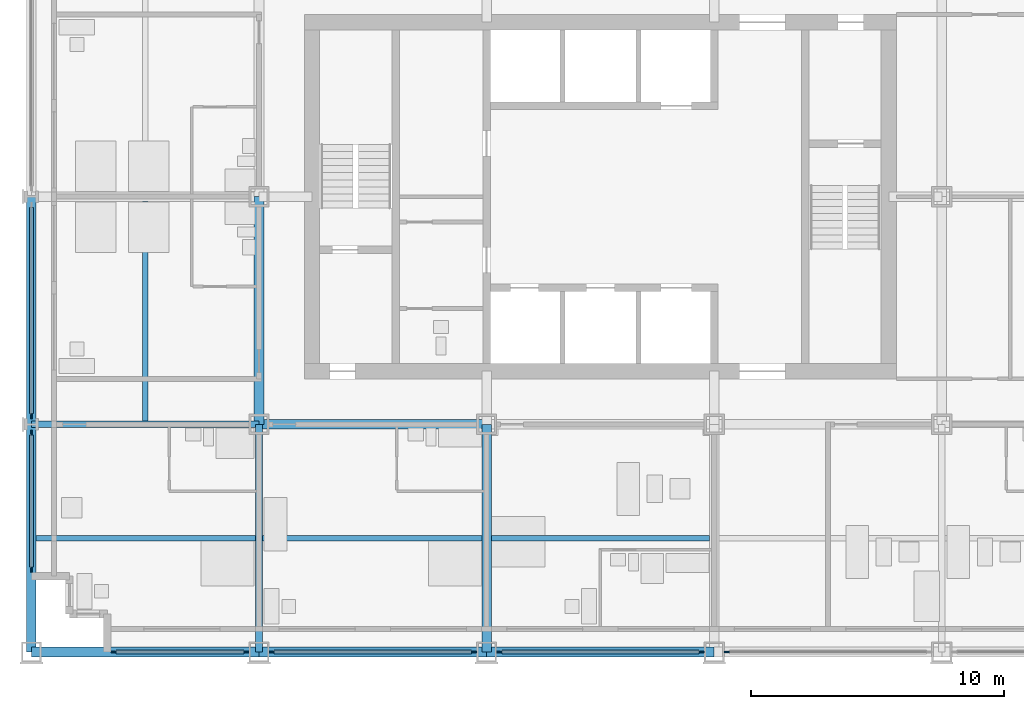
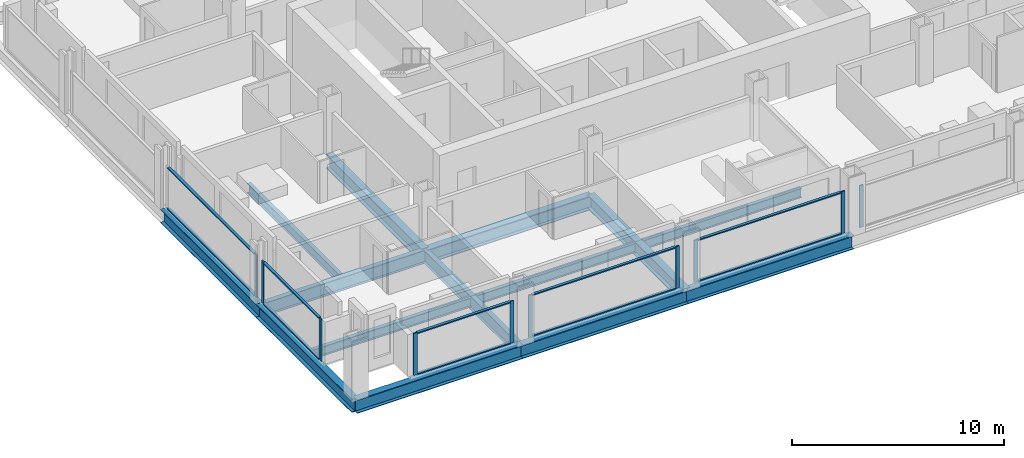
# One storey, part 2 of 18: 20 members, 14 beams, 6 elements without a shape of their own.
"""IFC4 building model written with IfcOpenShell, lengths in metres."""

from ifc_helpers import new_model, si_unit, direction, frame, origin, origin_2d, place, context, subcontext, project, spatial, rectangle, i_section, extrude, material, material_profile, profile_set, type_object, element, aggregate, save


model = new_model("IFC4")

# Units and contexts
model_context = context("Model", 3, precision=1e-05, world=origin(), true_north=direction((0.0, 1.0)))
body_context = subcontext(model_context, "Body", "Model", "MODEL_VIEW")
ifc_project = project(units=[si_unit("LENGTHUNIT", "METRE"), si_unit("AREAUNIT", "SQUARE_METRE"), si_unit("VOLUMEUNIT", "CUBIC_METRE"), si_unit("PLANEANGLEUNIT", "RADIAN"), si_unit("MASSUNIT", "GRAM", prefix="KILO")], contexts=[model_context])

# Site, building, storey
site_placement = place(None, origin())
site = spatial("IfcSite", under=ifc_project, at=site_placement, CompositionType="ELEMENT")
building_placement = place(site_placement, origin())
building = spatial("IfcBuilding", under=site, at=building_placement, Name="Loomwork Tower", CompositionType="ELEMENT")
storey_placement = place(building_placement, frame((0.0, 0.0, 72.199951171875)))
storey = spatial("IfcBuildingStorey", under=building, at=storey_placement, Name="L18", CompositionType="ELEMENT", Elevation=72.199951171875)

# Beams
ifc_material_1 = material(Name="Steel ASTM A992", Category="steel")
ifc_material_profile_1 = material_profile(ifc_material_1, i_section(OverallWidth=0.383544921875, OverallDepth=0.794921875, WebThickness=0.02099609375, FlangeThickness=0.0380859375, at=origin_2d()), Name="W30x235")
ifc_profile_set_1 = profile_set([ifc_material_profile_1], Name="Steel ASTM A992")
beam_type_1 = type_object("IfcBeamType", Name="CORE FLANK GIRDER W30x235", PredefinedType="BEAM", material=ifc_profile_set_1)
for number, where, z_axis, x_axis, name in (
    (1, (9.0, 9.0, -0.597412109375), (1.0, 0.0, 0.0), (0.0, 1.0, 0.0), "Core Flank Girder E/3-E/4 L18"),
    (2, (9.0, 9.0, -0.597412109375), (0.0, 1.0, 0.0), (-1.0, 0.0, 0.0), "Core Flank Girder E/3-F/3 L18"),
    (3, (18.0, 0.0, -0.597412109375), (0.0, 1.0, 0.0), (-1.0, 0.0, 0.0), "Core Flank Girder D/4-E/4 L18"),
):
    element("IfcBeam", number, at=place(storey_placement, frame(where, z_axis=z_axis, x_axis=x_axis)), inside=storey, type_object=beam_type_1, Name=name, PredefinedType="BEAM", context=body_context, shape_type="SweptSolid", body=[
        extrude(i_section(OverallWidth=0.383544921875, OverallDepth=0.794921875, WebThickness=0.02099609375, FlangeThickness=0.0380859375, at=origin_2d()), origin(), (0.0, 0.0, 1.0), 9.0),
    ])
ifc_material_2 = material(Name="Steel ASTM A992", Category="steel")
ifc_material_profile_2 = material_profile(ifc_material_2, i_section(OverallWidth=0.2666015625, OverallDepth=0.761962890625, WebThickness=0.014404296875, FlangeThickness=0.021484375, at=origin_2d()), Name="W30x116")
ifc_profile_set_2 = profile_set([ifc_material_profile_2], Name="Steel ASTM A992")
beam_type_2 = type_object("IfcBeamType", Name="FLOOR GIRDER W30x116", PredefinedType="BEAM", material=ifc_profile_set_2)
for number, where, z_axis, x_axis, name in (
    (4, (0.0, 9.0, -0.5810546875), (1.0, 0.0, 0.0), (0.0, 1.0, 0.0), "Floor Girder E/2-E/3 L18"),
    (5, (9.0, 0.0, -0.5810546875), (0.0, 1.0, 0.0), (-1.0, 0.0, 0.0), "Floor Girder D/3-E/3 L18"),
):
    element("IfcBeam", number, at=place(storey_placement, frame(where, z_axis=z_axis, x_axis=x_axis)), inside=storey, type_object=beam_type_2, Name=name, PredefinedType="BEAM", context=body_context, shape_type="SweptSolid", body=[
        extrude(i_section(OverallWidth=0.2666015625, OverallDepth=0.761962890625, WebThickness=0.014404296875, FlangeThickness=0.021484375, at=origin_2d()), origin(), (0.0, 0.0, 1.0), 9.0),
    ])
ifc_material_3 = material(Name="Steel ASTM A992", Category="steel")
ifc_material_profile_3 = material_profile(ifc_material_3, i_section(OverallWidth=0.2109375, OverallDepth=0.53857421875, WebThickness=0.011474609375, FlangeThickness=0.018798828125, at=origin_2d()), Name="W21x73")
ifc_profile_set_3 = profile_set([ifc_material_profile_3], Name="Steel ASTM A992")
beam_type_3 = type_object("IfcBeamType", Name="FLOOR JOIST W21x73", PredefinedType="JOIST", material=ifc_profile_set_3)
beam_1_placement = place(storey_placement, frame((0.18994140625, 4.5, -0.46923828125), z_axis=(1.0, 0.0, 0.0), x_axis=(0.0, 1.0, 0.0)))
element("IfcBeam", 6, at=beam_1_placement, inside=storey, type_object=beam_type_3, Name="Floor Joist 0.000,4.500-9.000,4.500 L18", PredefinedType="JOIST", context=body_context, shape_type="SweptSolid", body=[
    extrude(i_section(OverallWidth=0.2109375, OverallDepth=0.53857421875, WebThickness=0.011474609375, FlangeThickness=0.018798828125, at=origin_2d()), origin(), (0.0, 0.0, 1.0), 8.677001953125),
])
for number, where, z_axis, x_axis, name in (
    (7, (4.5, 9.133056640625, -0.46923828125), (0.0, 1.0, 0.0), (-1.0, 0.0, 0.0), "Floor Joist 4.500,9.000-4.500,18.000 L18"),
    (8, (9.133056640625, 4.5, -0.46923828125), (1.0, 0.0, 0.0), (0.0, 1.0, 0.0), "Floor Joist 9.000,4.500-18.000,4.500 L18"),
):
    element("IfcBeam", number, at=place(storey_placement, frame(where, z_axis=z_axis, x_axis=x_axis)), inside=storey, type_object=beam_type_3, Name=name, PredefinedType="JOIST", context=body_context, shape_type="SweptSolid", body=[
        extrude(i_section(OverallWidth=0.2109375, OverallDepth=0.53857421875, WebThickness=0.011474609375, FlangeThickness=0.018798828125, at=origin_2d()), origin(), (0.0, 0.0, 1.0), 8.676025390625),
    ])
beam_2_placement = place(storey_placement, frame((18.19091796875, 4.5, -0.46923828125), z_axis=(1.0, 0.0, 0.0), x_axis=(0.0, 1.0, 0.0)))
element("IfcBeam", 9, at=beam_2_placement, inside=storey, type_object=beam_type_3, Name="Floor Joist 18.000,4.500-27.000,4.500 L18", PredefinedType="JOIST", context=body_context, shape_type="SweptSolid", body=[
    extrude(i_section(OverallWidth=0.2109375, OverallDepth=0.53857421875, WebThickness=0.011474609375, FlangeThickness=0.018798828125, at=origin_2d()), origin(), (0.0, 0.0, 1.0), 8.6181640625),
])

# Curtain wall, members
ifc_material_4 = material(Name="Aluminium curtain wall frame", Category="aluminium")
curtain_wall_type = type_object("IfcCurtainWallType", Name="Outer skin glazing hotel", PredefinedType="NOTDEFINED", material=ifc_material_4)
curtain_wall_1_placement = place(storey_placement, origin())
curtain_wall_1 = element("IfcCurtainWall", 10, at=curtain_wall_1_placement, inside=storey, type_object=curtain_wall_type, Name="Outer skin glazing hotel cw/S-0", PredefinedType="NOTDEFINED")
ifc_material_5 = material(Name="Aluminium curtain wall frame", Category="aluminium")
ifc_material_profile_4 = material_profile(ifc_material_5, rectangle(XDim=0.06494140625, YDim=0.199951171875, at=origin_2d()), Name="AL 65x200")
ifc_profile_set_4 = profile_set([ifc_material_profile_4], Name="Aluminium curtain wall frame")
member_type_1 = type_object("IfcMemberType", Name="Outer skin glazing hotel mullion", PredefinedType="MULLION", material=ifc_profile_set_4)
member_1_placement = place(storey_placement, frame((3.25, 0.0, 0.0), z_axis=(0.0, 0.0, 1.0), x_axis=(0.0, 1.0, 0.0)))
member_1 = element("IfcMember", 11, at=member_1_placement, type_object=member_type_1, Name="CW1 mullion 1", PredefinedType="MULLION", context=body_context, shape_type="SweptSolid", body=[
    extrude(rectangle(XDim=0.06494140625, YDim=0.199951171875, at=origin_2d()), origin(), (0.0, 0.0, 1.0), 2.420166015625),
])
member_2_placement = place(storey_placement, frame((8.5, 0.0, 0.0), z_axis=(0.0, 0.0, 1.0), x_axis=(0.0, 1.0, 0.0)))
member_2 = element("IfcMember", 12, at=member_2_placement, type_object=member_type_1, Name="CW1 mullion 2", PredefinedType="MULLION", context=body_context, shape_type="SweptSolid", body=[
    extrude(rectangle(XDim=0.06494140625, YDim=0.199951171875, at=origin_2d()), origin(), (0.0, 0.0, 1.0), 2.420166015625),
])

curtain_wall_2_placement = place(storey_placement, origin())
curtain_wall_2 = element("IfcCurtainWall", 13, at=curtain_wall_2_placement, inside=storey, type_object=curtain_wall_type, Name="Outer skin glazing hotel cw/S-9", PredefinedType="NOTDEFINED")
member_3_placement = place(storey_placement, frame((9.5, 0.0, 0.0), z_axis=(0.0, 0.0, 1.0), x_axis=(0.0, 1.0, 0.0)))
member_3 = element("IfcMember", 14, at=member_3_placement, type_object=member_type_1, Name="CW1 mullion 1", PredefinedType="MULLION", context=body_context, shape_type="SweptSolid", body=[
    extrude(rectangle(XDim=0.06494140625, YDim=0.199951171875, at=origin_2d()), origin(), (0.0, 0.0, 1.0), 2.420166015625),
])
member_4_placement = place(storey_placement, frame((17.5, 0.0, 0.0), z_axis=(0.0, 0.0, 1.0), x_axis=(0.0, 1.0, 0.0)))
member_4 = element("IfcMember", 15, at=member_4_placement, type_object=member_type_1, Name="CW1 mullion 2", PredefinedType="MULLION", context=body_context, shape_type="SweptSolid", body=[
    extrude(rectangle(XDim=0.06494140625, YDim=0.199951171875, at=origin_2d()), origin(), (0.0, 0.0, 1.0), 2.420166015625),
])

curtain_wall_3_placement = place(storey_placement, origin())
curtain_wall_3 = element("IfcCurtainWall", 16, at=curtain_wall_3_placement, inside=storey, type_object=curtain_wall_type, Name="Outer skin glazing hotel cw/S-18", PredefinedType="NOTDEFINED")
member_5_placement = place(storey_placement, frame((18.5, 0.0, 0.0), z_axis=(0.0, 0.0, 1.0), x_axis=(0.0, 1.0, 0.0)))
member_5 = element("IfcMember", 17, at=member_5_placement, type_object=member_type_1, Name="CW1 mullion 1", PredefinedType="MULLION", context=body_context, shape_type="SweptSolid", body=[
    extrude(rectangle(XDim=0.06494140625, YDim=0.199951171875, at=origin_2d()), origin(), (0.0, 0.0, 1.0), 2.420166015625),
])
member_6_placement = place(storey_placement, frame((26.5, 0.0, 0.0), z_axis=(0.0, 0.0, 1.0), x_axis=(0.0, 1.0, 0.0)))
member_6 = element("IfcMember", 18, at=member_6_placement, type_object=member_type_1, Name="CW1 mullion 2", PredefinedType="MULLION", context=body_context, shape_type="SweptSolid", body=[
    extrude(rectangle(XDim=0.06494140625, YDim=0.199951171875, at=origin_2d()), origin(), (0.0, 0.0, 1.0), 2.420166015625),
])

# Curtain wall, member
curtain_wall_4_placement = place(storey_placement, origin())
curtain_wall_4 = element("IfcCurtainWall", 19, at=curtain_wall_4_placement, inside=storey, type_object=curtain_wall_type, Name="Outer skin glazing hotel cw/S-27", PredefinedType="NOTDEFINED")
member_7_placement = place(storey_placement, frame((27.5, 0.0, 0.0), z_axis=(0.0, 0.0, 1.0), x_axis=(0.0, 1.0, 0.0)))
member_7 = element("IfcMember", 20, at=member_7_placement, type_object=member_type_1, Name="CW1 mullion 1", PredefinedType="MULLION", context=body_context, shape_type="SweptSolid", body=[
    extrude(rectangle(XDim=0.06494140625, YDim=0.199951171875, at=origin_2d()), origin(), (0.0, 0.0, 1.0), 2.420166015625),
])
aggregate(curtain_wall_4, [member_7])

# Curtain wall, members
curtain_wall_5_placement = place(storey_placement, origin())
curtain_wall_5 = element("IfcCurtainWall", 21, at=curtain_wall_5_placement, inside=storey, type_object=curtain_wall_type, Name="Outer skin glazing hotel cw/W-0", PredefinedType="NOTDEFINED")
member_8_placement = place(storey_placement, frame((0.0, 8.672607421875, 0.0), z_axis=(0.0, 0.0, 1.0), x_axis=(1.0, 0.0, 0.0)))
member_8 = element("IfcMember", 22, at=member_8_placement, type_object=member_type_1, Name="CW1 mullion 1", PredefinedType="MULLION", context=body_context, shape_type="SweptSolid", body=[
    extrude(rectangle(XDim=0.06494140625, YDim=0.199951171875, at=origin_2d()), origin(), (0.0, 0.0, 1.0), 2.420166015625),
])
member_9_placement = place(storey_placement, frame((0.0, 3.25, 0.0), z_axis=(0.0, 0.0, 1.0), x_axis=(1.0, 0.0, 0.0)))
member_9 = element("IfcMember", 23, at=member_9_placement, type_object=member_type_1, Name="CW1 mullion 2", PredefinedType="MULLION", context=body_context, shape_type="SweptSolid", body=[
    extrude(rectangle(XDim=0.06494140625, YDim=0.199951171875, at=origin_2d()), origin(), (0.0, 0.0, 1.0), 2.420166015625),
])

# Curtain wall, member
curtain_wall_6_placement = place(storey_placement, origin())
curtain_wall_6 = element("IfcCurtainWall", 24, at=curtain_wall_6_placement, inside=storey, type_object=curtain_wall_type, Name="Outer skin glazing hotel cw/W-9", PredefinedType="NOTDEFINED")
member_10_placement = place(storey_placement, frame((0.0, 9.327392578125, 0.0), z_axis=(0.0, 0.0, 1.0), x_axis=(1.0, 0.0, 0.0)))
member_10 = element("IfcMember", 25, at=member_10_placement, type_object=member_type_1, Name="CW1 mullion 2", PredefinedType="MULLION", context=body_context, shape_type="SweptSolid", body=[
    extrude(rectangle(XDim=0.06494140625, YDim=0.199951171875, at=origin_2d()), origin(), (0.0, 0.0, 1.0), 2.420166015625),
])

# Member
ifc_material_6 = material(Name="Aluminium curtain wall frame", Category="aluminium")
ifc_material_profile_5 = material_profile(ifc_material_6, rectangle(XDim=0.14990234375, YDim=0.06494140625, at=origin_2d()), Name="AL 65x150")
ifc_profile_set_5 = profile_set([ifc_material_profile_5], Name="Aluminium curtain wall frame")
member_type_2 = type_object("IfcMemberType", Name="Outer skin glazing hotel transom", PredefinedType="USERDEFINED", material=ifc_profile_set_5)
member_11_placement = place(storey_placement, frame((3.35009765625, 0.0, 0.032470703125), z_axis=(1.0, 0.0, 0.0), x_axis=(0.0, 1.0, 0.0)))
member_11 = element("IfcMember", 26, at=member_11_placement, type_object=member_type_2, Name="CW1 transom 1.1", ObjectType="TRANSOM", PredefinedType="USERDEFINED", context=body_context, shape_type="SweptSolid", body=[
    extrude(rectangle(XDim=0.14990234375, YDim=0.06494140625, at=origin_2d()), origin(), (0.0, 0.0, 1.0), 5.0498046875),
])

member_12_placement = place(storey_placement, frame((3.35009765625, 0.0, 2.3876953125), z_axis=(1.0, 0.0, 0.0), x_axis=(0.0, 1.0, 0.0)))
member_12 = element("IfcMember", 27, at=member_12_placement, type_object=member_type_2, Name="CW1 transom 1.2", ObjectType="TRANSOM", PredefinedType="USERDEFINED", context=body_context, shape_type="SweptSolid", body=[
    extrude(rectangle(XDim=0.14990234375, YDim=0.06494140625, at=origin_2d()), origin(), (0.0, 0.0, 1.0), 5.0498046875),
])

aggregate(curtain_wall_1, [member_1, member_2, member_11, member_12])

member_13_placement = place(storey_placement, frame((9.60009765625, 0.0, 0.032470703125), z_axis=(1.0, 0.0, 0.0), x_axis=(0.0, 1.0, 0.0)))
member_13 = element("IfcMember", 28, at=member_13_placement, type_object=member_type_2, Name="CW1 transom 1.1", ObjectType="TRANSOM", PredefinedType="USERDEFINED", context=body_context, shape_type="SweptSolid", body=[
    extrude(rectangle(XDim=0.14990234375, YDim=0.06494140625, at=origin_2d()), origin(), (0.0, 0.0, 1.0), 7.7998046875),
])

member_14_placement = place(storey_placement, frame((9.60009765625, 0.0, 2.3876953125), z_axis=(1.0, 0.0, 0.0), x_axis=(0.0, 1.0, 0.0)))
member_14 = element("IfcMember", 29, at=member_14_placement, type_object=member_type_2, Name="CW1 transom 1.2", ObjectType="TRANSOM", PredefinedType="USERDEFINED", context=body_context, shape_type="SweptSolid", body=[
    extrude(rectangle(XDim=0.14990234375, YDim=0.06494140625, at=origin_2d()), origin(), (0.0, 0.0, 1.0), 7.7998046875),
])

aggregate(curtain_wall_2, [member_3, member_4, member_13, member_14])

member_15_placement = place(storey_placement, frame((18.60009765625, 0.0, 0.032470703125), z_axis=(1.0, 0.0, 0.0), x_axis=(0.0, 1.0, 0.0)))
member_15 = element("IfcMember", 30, at=member_15_placement, type_object=member_type_2, Name="CW1 transom 1.1", ObjectType="TRANSOM", PredefinedType="USERDEFINED", context=body_context, shape_type="SweptSolid", body=[
    extrude(rectangle(XDim=0.14990234375, YDim=0.06494140625, at=origin_2d()), origin(), (0.0, 0.0, 1.0), 7.7998046875),
])

member_16_placement = place(storey_placement, frame((18.60009765625, 0.0, 2.3876953125), z_axis=(1.0, 0.0, 0.0), x_axis=(0.0, 1.0, 0.0)))
member_16 = element("IfcMember", 31, at=member_16_placement, type_object=member_type_2, Name="CW1 transom 1.2", ObjectType="TRANSOM", PredefinedType="USERDEFINED", context=body_context, shape_type="SweptSolid", body=[
    extrude(rectangle(XDim=0.14990234375, YDim=0.06494140625, at=origin_2d()), origin(), (0.0, 0.0, 1.0), 7.7998046875),
])

aggregate(curtain_wall_3, [member_5, member_6, member_15, member_16])

member_17_placement = place(storey_placement, frame((0.0, 8.57275390625, 0.032470703125), z_axis=(0.0, -1.0, 0.0), x_axis=(1.0, 0.0, 0.0)))
member_17 = element("IfcMember", 32, at=member_17_placement, type_object=member_type_2, Name="CW1 transom 1.1", ObjectType="TRANSOM", PredefinedType="USERDEFINED", context=body_context, shape_type="SweptSolid", body=[
    extrude(rectangle(XDim=0.14990234375, YDim=0.06494140625, at=origin_2d()), origin(), (0.0, 0.0, 1.0), 5.22265625),
])

member_18_placement = place(storey_placement, frame((0.0, 8.57275390625, 2.3876953125), z_axis=(0.0, -1.0, 0.0), x_axis=(1.0, 0.0, 0.0)))
member_18 = element("IfcMember", 33, at=member_18_placement, type_object=member_type_2, Name="CW1 transom 1.2", ObjectType="TRANSOM", PredefinedType="USERDEFINED", context=body_context, shape_type="SweptSolid", body=[
    extrude(rectangle(XDim=0.14990234375, YDim=0.06494140625, at=origin_2d()), origin(), (0.0, 0.0, 1.0), 5.22265625),
])

aggregate(curtain_wall_5, [member_8, member_9, member_17, member_18])

member_19_placement = place(storey_placement, frame((0.0, 17.57275390625, 0.032470703125), z_axis=(0.0, -1.0, 0.0), x_axis=(1.0, 0.0, 0.0)))
member_19 = element("IfcMember", 34, at=member_19_placement, type_object=member_type_2, Name="CW1 transom 1.1", ObjectType="TRANSOM", PredefinedType="USERDEFINED", context=body_context, shape_type="SweptSolid", body=[
    extrude(rectangle(XDim=0.14990234375, YDim=0.06494140625, at=origin_2d()), origin(), (0.0, 0.0, 1.0), 8.1455078125),
])

member_20_placement = place(storey_placement, frame((0.0, 17.57275390625, 2.3876953125), z_axis=(0.0, -1.0, 0.0), x_axis=(1.0, 0.0, 0.0)))
member_20 = element("IfcMember", 35, at=member_20_placement, type_object=member_type_2, Name="CW1 transom 1.2", ObjectType="TRANSOM", PredefinedType="USERDEFINED", context=body_context, shape_type="SweptSolid", body=[
    extrude(rectangle(XDim=0.14990234375, YDim=0.06494140625, at=origin_2d()), origin(), (0.0, 0.0, 1.0), 8.1455078125),
])

aggregate(curtain_wall_6, [member_10, member_19, member_20])

# Beams
ifc_material_7 = material(Name="Steel ASTM A992", Category="steel")
ifc_material_profile_6 = material_profile(ifc_material_7, i_section(OverallWidth=0.381103515625, OverallDepth=0.77978515625, WebThickness=0.01806640625, FlangeThickness=0.0302734375, at=origin_2d()), Name="W30x191")
ifc_profile_set_6 = profile_set([ifc_material_profile_6], Name="Steel ASTM A992")
beam_type_4 = type_object("IfcBeamType", Name="SPANDREL GIRDER W30x191", PredefinedType="SPANDREL", material=ifc_profile_set_6)
for number, where, z_axis, x_axis, name in (
    (36, (0.0, 0.0, -0.58984375), (1.0, 0.0, 0.0), (0.0, 1.0, 0.0), "Spandrel Girder D/2-D/3 L18"),
    (37, (9.0, 0.0, -0.58984375), (1.0, 0.0, 0.0), (0.0, 1.0, 0.0), "Spandrel Girder D/3-D/4 L18"),
    (38, (18.0, 0.0, -0.58984375), (1.0, 0.0, 0.0), (0.0, 1.0, 0.0), "Spandrel Girder D/4-D/5 L18"),
    (39, (0.0, 0.0, -0.58984375), (0.0, 1.0, 0.0), (-1.0, 0.0, 0.0), "Spandrel Girder D/2-E/2 L18"),
    (40, (0.0, 9.0, -0.58984375), (0.0, 1.0, 0.0), (-1.0, 0.0, 0.0), "Spandrel Girder E/2-F/2 L18"),
):
    element("IfcBeam", number, at=place(storey_placement, frame(where, z_axis=z_axis, x_axis=x_axis)), inside=storey, type_object=beam_type_4, Name=name, PredefinedType="SPANDREL", context=body_context, shape_type="SweptSolid", body=[
        extrude(i_section(OverallWidth=0.381103515625, OverallDepth=0.77978515625, WebThickness=0.01806640625, FlangeThickness=0.0302734375, at=origin_2d()), origin(), (0.0, 0.0, 1.0), 9.0),
    ])

save(model, "model.ifc")
